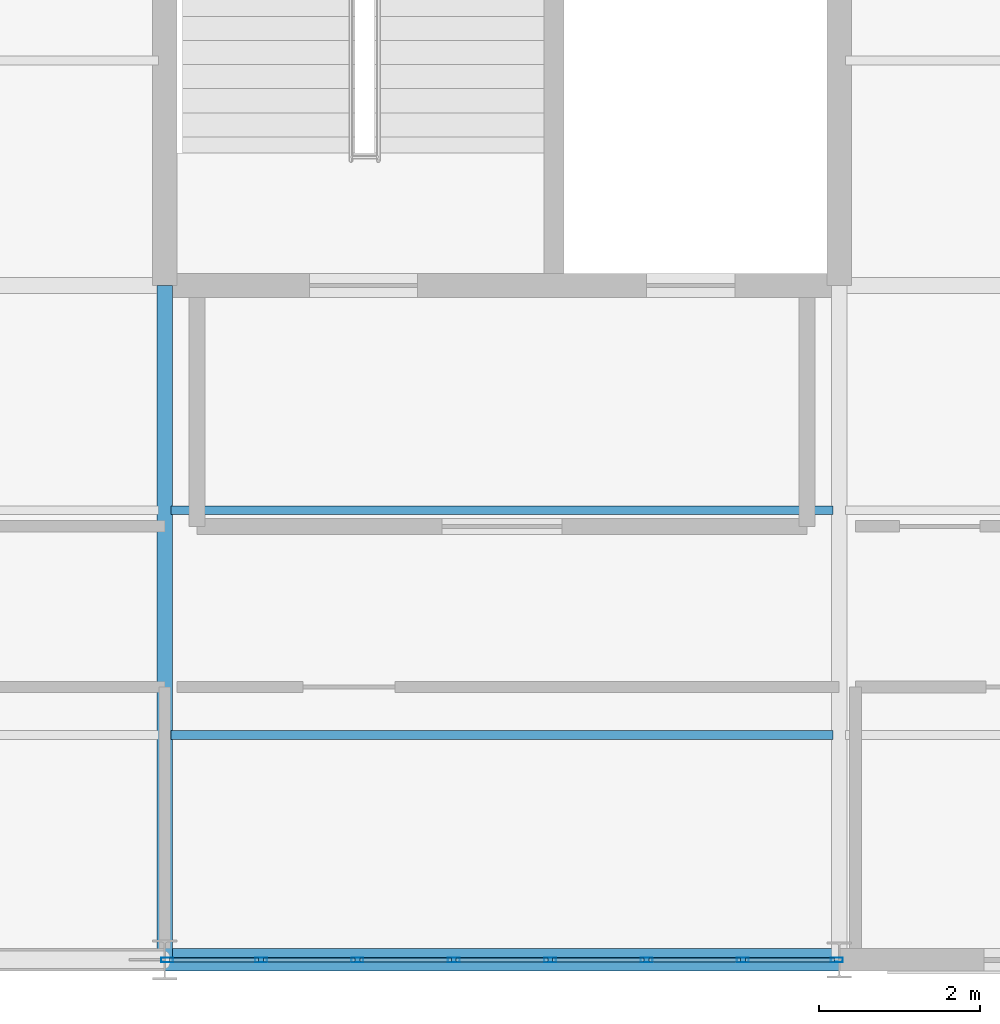
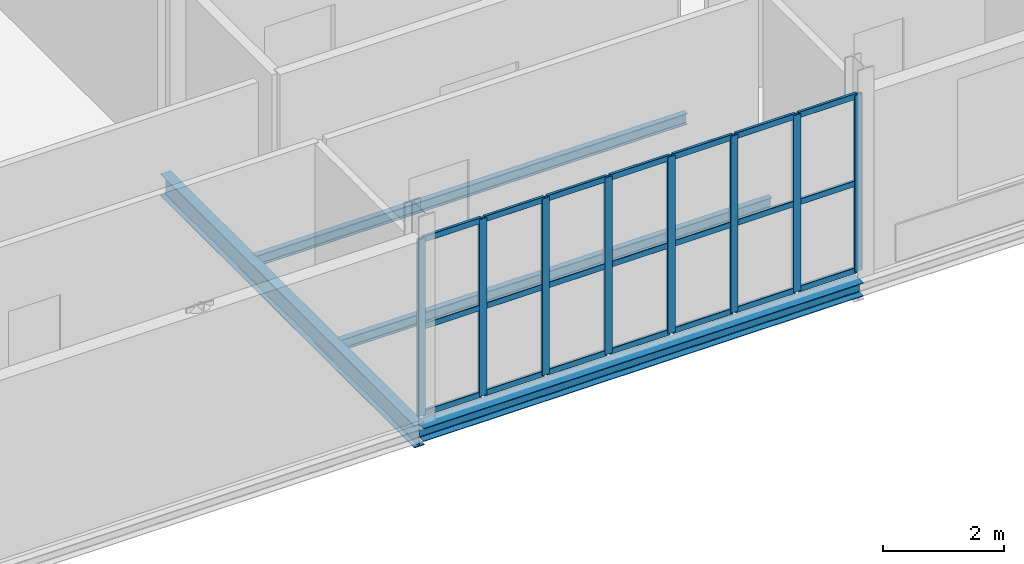
# One storey, part 23 of 65: 29 members, 4 beams, 1 element without a shape of its own.
"""IFC4 building model written with IfcOpenShell, lengths in metres."""

from ifc_helpers import new_model, si_unit, direction, frame, origin, origin_2d, place, context, subcontext, project, spatial, hollow_rectangle, i_section, extrude, material, layer, layer_set, material_profile, profile_set, type_object, element, aggregate, save


model = new_model("IFC4")

# Units and contexts
model_context = context("Model", 3, precision=1e-05, world=origin(), true_north=direction((0.0, 1.0)))
body_context = subcontext(model_context, "Body", "Model", "MODEL_VIEW")
ifc_project = project(units=[si_unit("LENGTHUNIT", "METRE"), si_unit("AREAUNIT", "SQUARE_METRE"), si_unit("VOLUMEUNIT", "CUBIC_METRE"), si_unit("PLANEANGLEUNIT", "RADIAN"), si_unit("MASSUNIT", "GRAM", prefix="KILO")], contexts=[model_context])

# Site, building, storey
site_placement = place(None, origin())
site = spatial("IfcSite", under=ifc_project, at=site_placement, CompositionType="ELEMENT")
building_placement = place(site_placement, origin())
building = spatial("IfcBuilding", under=site, at=building_placement, Name="Qalvenar Corner Mobility Hub", CompositionType="ELEMENT")
storey_placement = place(building_placement, frame((0.0, 0.0, 17.39990234375)))
storey = spatial("IfcBuildingStorey", under=building, at=storey_placement, Name="L04", CompositionType="ELEMENT", Elevation=17.39990234375)

# Beams
ifc_material_1 = material(Name="Steel S355", Category="steel")
ifc_material_profile_1 = material_profile(ifc_material_1, i_section(OverallWidth=0.18994140625, OverallDepth=0.449951171875, WebThickness=0.009521484375, FlangeThickness=0.0146484375, FilletRadius=0.02099609375, at=origin_2d()), Name="IPE450")
ifc_profile_set_1 = profile_set([ifc_material_profile_1], Name="Steel S355")
beam_type_1 = type_object("IfcBeamType", Name="BM-IPE450", PredefinedType="BEAM", material=ifc_profile_set_1)
beam_1_placement = place(storey_placement, frame((33.60009765625, 0.0, -0.40478515625), z_axis=(0.0, 1.0, 0.0), x_axis=(-1.0, 0.0, 0.0)))
element("IfcBeam", 1, at=beam_1_placement, inside=storey, type_object=beam_type_1, Name="Primary Steel Girder GY-2647", PredefinedType="BEAM", context=body_context, shape_type="SweptSolid", body=[
    extrude(i_section(OverallWidth=0.18994140625, OverallDepth=0.449951171875, WebThickness=0.009521484375, FlangeThickness=0.0146484375, FilletRadius=0.02099609375, at=origin_2d()), origin(), (0.0, 0.0, 1.0), 8.39990234375),
])
ifc_material_profile_2 = material_profile(ifc_material_1, i_section(OverallWidth=0.110107421875, OverallDepth=0.219970703125, WebThickness=0.005859375, FlangeThickness=0.00927734375, FilletRadius=0.011962890625, at=origin_2d()), Name="IPE220")
ifc_profile_set_2 = profile_set([ifc_material_profile_2], Name="Steel S355")
beam_type_2 = type_object("IfcBeamType", Name="BM-JST220", PredefinedType="JOIST", material=ifc_profile_set_2)
for number, where, z_axis, x_axis, name in (
    (2, (33.677978515625, 2.800048828125, -0.289794921875), (1.0, 0.0, 0.0), (0.0, 1.0, 0.0), "Composite Floor Joist J-2701"),
    (3, (33.677978515625, 5.60009765625, -0.289794921875), (1.0, 0.0, 0.0), (0.0, 1.0, 0.0), "Composite Floor Joist J-2702"),
):
    element("IfcBeam", number, at=place(storey_placement, frame(where, z_axis=z_axis, x_axis=x_axis)), inside=storey, type_object=beam_type_2, Name=name, PredefinedType="JOIST", context=body_context, shape_type="SweptSolid", body=[
        extrude(i_section(OverallWidth=0.110107421875, OverallDepth=0.219970703125, WebThickness=0.005859375, FlangeThickness=0.00927734375, FilletRadius=0.011962890625, at=origin_2d()), origin(), (0.0, 0.0, 1.0), 8.244140625),
    ])
ifc_material_profile_3 = material_profile(ifc_material_1, i_section(OverallWidth=0.280029296875, OverallDepth=0.27001953125, WebThickness=0.008056640625, FlangeThickness=0.012939453125, FilletRadius=0.02392578125, at=origin_2d()), Name="HEA280")
ifc_profile_set_3 = profile_set([ifc_material_profile_3], Name="Steel S355")
beam_type_3 = type_object("IfcBeamType", Name="BM-SPN280", PredefinedType="SPANDREL", material=ifc_profile_set_3)
beam_2_placement = place(storey_placement, frame((33.60009765625, 0.0, -0.31494140625), z_axis=(1.0, 0.0, 0.0), x_axis=(0.0, 1.0, 0.0)))
element("IfcBeam", 4, at=beam_2_placement, inside=storey, type_object=beam_type_3, Name="Primary Steel Girder GX-2595", PredefinedType="SPANDREL", context=body_context, shape_type="SweptSolid", body=[
    extrude(i_section(OverallWidth=0.280029296875, OverallDepth=0.27001953125, WebThickness=0.008056640625, FlangeThickness=0.012939453125, FilletRadius=0.02392578125, at=origin_2d()), origin(), (0.0, 0.0, 1.0), 8.39990234375),
])

# Curtain wall, members
ifc_material_2 = material(Name="Anodised Aluminium and Low-E Glazing", Category="aluminium")
ifc_layer = layer(ifc_material_2, 0.14990234375)
ifc_layer_set = layer_set([ifc_layer], Name="Anodised Aluminium and Low-E Glazing")
curtain_wall_type = type_object("IfcCurtainWallType", Name="CW-CIV-84X40", PredefinedType="NOTDEFINED", material=ifc_layer_set)
curtain_wall_placement = place(storey_placement, origin())
curtain_wall = element("IfcCurtainWall", 5, at=curtain_wall_placement, inside=storey, type_object=curtain_wall_type, Name="Glazed Curtain Wall CW-V3-L04-S4", PredefinedType="NOTDEFINED")
ifc_material_3 = material(Name="Anodised Aluminium 6063-T6", Category="aluminium")
ifc_material_profile_4 = material_profile(ifc_material_3, hollow_rectangle(XDim=0.06005859375, YDim=0.14990234375, WallThickness=0.00390625, InnerFilletRadius=0.00390625, OuterFilletRadius=0.008056640625, at=origin_2d()), Name="RHS150x60x4")
ifc_profile_set_4 = profile_set([ifc_material_profile_4], Name="Anodised Aluminium 6063-T6")
member_type_1 = type_object("IfcMemberType", Name="CW-MUL150", PredefinedType="MULLION", material=ifc_profile_set_4)
member_1_placement = place(storey_placement, frame((33.6298828125, 0.0, 0.0), z_axis=(0.0, 0.0, 1.0), x_axis=(0.0, 1.0, 0.0)))
member_1 = element("IfcMember", 6, at=member_1_placement, type_object=member_type_1, Name="CW-05 mullion 1", PredefinedType="MULLION", context=body_context, shape_type="SweptSolid", body=[
    extrude(hollow_rectangle(XDim=0.06005859375, YDim=0.14990234375, WallThickness=0.00390625, InnerFilletRadius=0.00390625, OuterFilletRadius=0.008056640625, at=origin_2d()), origin(), (0.0, 0.0, 1.0), 3.570068359375),
])
member_2_placement = place(storey_placement, frame((34.800048828125, 0.0, 0.0), z_axis=(0.0, 0.0, 1.0), x_axis=(0.0, 1.0, 0.0)))
member_2 = element("IfcMember", 7, at=member_2_placement, type_object=member_type_1, Name="CW-05 mullion 2", PredefinedType="MULLION", context=body_context, shape_type="SweptSolid", body=[
    extrude(hollow_rectangle(XDim=0.06005859375, YDim=0.14990234375, WallThickness=0.00390625, InnerFilletRadius=0.00390625, OuterFilletRadius=0.008056640625, at=origin_2d()), origin(), (0.0, 0.0, 1.0), 3.570068359375),
])
member_3_placement = place(storey_placement, frame((36.0, 0.0, 0.0), z_axis=(0.0, 0.0, 1.0), x_axis=(0.0, 1.0, 0.0)))
member_3 = element("IfcMember", 8, at=member_3_placement, type_object=member_type_1, Name="CW-05 mullion 3", PredefinedType="MULLION", context=body_context, shape_type="SweptSolid", body=[
    extrude(hollow_rectangle(XDim=0.06005859375, YDim=0.14990234375, WallThickness=0.00390625, InnerFilletRadius=0.00390625, OuterFilletRadius=0.008056640625, at=origin_2d()), origin(), (0.0, 0.0, 1.0), 3.570068359375),
])
member_4_placement = place(storey_placement, frame((37.199951171875, 0.0, 0.0), z_axis=(0.0, 0.0, 1.0), x_axis=(0.0, 1.0, 0.0)))
member_4 = element("IfcMember", 9, at=member_4_placement, type_object=member_type_1, Name="CW-05 mullion 4", PredefinedType="MULLION", context=body_context, shape_type="SweptSolid", body=[
    extrude(hollow_rectangle(XDim=0.06005859375, YDim=0.14990234375, WallThickness=0.00390625, InnerFilletRadius=0.00390625, OuterFilletRadius=0.008056640625, at=origin_2d()), origin(), (0.0, 0.0, 1.0), 3.570068359375),
])
member_5_placement = place(storey_placement, frame((38.39990234375, 0.0, 0.0), z_axis=(0.0, 0.0, 1.0), x_axis=(0.0, 1.0, 0.0)))
member_5 = element("IfcMember", 10, at=member_5_placement, type_object=member_type_1, Name="CW-05 mullion 5", PredefinedType="MULLION", context=body_context, shape_type="SweptSolid", body=[
    extrude(hollow_rectangle(XDim=0.06005859375, YDim=0.14990234375, WallThickness=0.00390625, InnerFilletRadius=0.00390625, OuterFilletRadius=0.008056640625, at=origin_2d()), origin(), (0.0, 0.0, 1.0), 3.570068359375),
])
member_6_placement = place(storey_placement, frame((39.60009765625, 0.0, 0.0), z_axis=(0.0, 0.0, 1.0), x_axis=(0.0, 1.0, 0.0)))
member_6 = element("IfcMember", 11, at=member_6_placement, type_object=member_type_1, Name="CW-05 mullion 6", PredefinedType="MULLION", context=body_context, shape_type="SweptSolid", body=[
    extrude(hollow_rectangle(XDim=0.06005859375, YDim=0.14990234375, WallThickness=0.00390625, InnerFilletRadius=0.00390625, OuterFilletRadius=0.008056640625, at=origin_2d()), origin(), (0.0, 0.0, 1.0), 3.570068359375),
])
member_7_placement = place(storey_placement, frame((40.800048828125, 0.0, 0.0), z_axis=(0.0, 0.0, 1.0), x_axis=(0.0, 1.0, 0.0)))
member_7 = element("IfcMember", 12, at=member_7_placement, type_object=member_type_1, Name="CW-05 mullion 7", PredefinedType="MULLION", context=body_context, shape_type="SweptSolid", body=[
    extrude(hollow_rectangle(XDim=0.06005859375, YDim=0.14990234375, WallThickness=0.00390625, InnerFilletRadius=0.00390625, OuterFilletRadius=0.008056640625, at=origin_2d()), origin(), (0.0, 0.0, 1.0), 3.570068359375),
])
member_8_placement = place(storey_placement, frame((41.969970703125, 0.0, 0.0), z_axis=(0.0, 0.0, 1.0), x_axis=(0.0, 1.0, 0.0)))
member_8 = element("IfcMember", 13, at=member_8_placement, type_object=member_type_1, Name="CW-05 mullion 8", PredefinedType="MULLION", context=body_context, shape_type="SweptSolid", body=[
    extrude(hollow_rectangle(XDim=0.06005859375, YDim=0.14990234375, WallThickness=0.00390625, InnerFilletRadius=0.00390625, OuterFilletRadius=0.008056640625, at=origin_2d()), origin(), (0.0, 0.0, 1.0), 3.570068359375),
])
ifc_material_profile_5 = material_profile(ifc_material_3, hollow_rectangle(XDim=0.054931640625, YDim=0.1201171875, WallThickness=0.00341796875, InnerFilletRadius=0.00341796875, OuterFilletRadius=0.007080078125, at=origin_2d()), Name="RHS120x55x3.5")
ifc_profile_set_5 = profile_set([ifc_material_profile_5], Name="Anodised Aluminium 6063-T6")
member_type_2 = type_object("IfcMemberType", Name="CW-TRN120", PredefinedType="USERDEFINED", material=ifc_profile_set_5)
member_9_placement = place(storey_placement, frame((33.659912109375, 0.0, 0.027587890625), z_axis=(1.0, 0.0, 0.0), x_axis=(0.0, 1.0, 0.0)))
member_9 = element("IfcMember", 14, at=member_9_placement, type_object=member_type_2, Name="CW-05 transom 1.1", ObjectType="TRANSOM", PredefinedType="USERDEFINED", context=body_context, shape_type="SweptSolid", body=[
    extrude(hollow_rectangle(XDim=0.054931640625, YDim=0.1201171875, WallThickness=0.00341796875, InnerFilletRadius=0.00341796875, OuterFilletRadius=0.007080078125, at=origin_2d()), origin(), (0.0, 0.0, 1.0), 1.110107421875),
])
member_10_placement = place(storey_placement, frame((33.659912109375, 0.0, 1.78515625), z_axis=(1.0, 0.0, 0.0), x_axis=(0.0, 1.0, 0.0)))
member_10 = element("IfcMember", 15, at=member_10_placement, type_object=member_type_2, Name="CW-05 transom 1.2", ObjectType="TRANSOM", PredefinedType="USERDEFINED", context=body_context, shape_type="SweptSolid", body=[
    extrude(hollow_rectangle(XDim=0.054931640625, YDim=0.1201171875, WallThickness=0.00341796875, InnerFilletRadius=0.00341796875, OuterFilletRadius=0.007080078125, at=origin_2d()), origin(), (0.0, 0.0, 1.0), 1.110107421875),
])
member_11_placement = place(storey_placement, frame((33.659912109375, 0.0, 3.54248046875), z_axis=(1.0, 0.0, 0.0), x_axis=(0.0, 1.0, 0.0)))
member_11 = element("IfcMember", 16, at=member_11_placement, type_object=member_type_2, Name="CW-05 transom 1.3", ObjectType="TRANSOM", PredefinedType="USERDEFINED", context=body_context, shape_type="SweptSolid", body=[
    extrude(hollow_rectangle(XDim=0.054931640625, YDim=0.1201171875, WallThickness=0.00341796875, InnerFilletRadius=0.00341796875, OuterFilletRadius=0.007080078125, at=origin_2d()), origin(), (0.0, 0.0, 1.0), 1.110107421875),
])
member_12_placement = place(storey_placement, frame((34.830078125, 0.0, 0.027587890625), z_axis=(1.0, 0.0, 0.0), x_axis=(0.0, 1.0, 0.0)))
member_12 = element("IfcMember", 17, at=member_12_placement, type_object=member_type_2, Name="CW-05 transom 2.1", ObjectType="TRANSOM", PredefinedType="USERDEFINED", context=body_context, shape_type="SweptSolid", body=[
    extrude(hollow_rectangle(XDim=0.054931640625, YDim=0.1201171875, WallThickness=0.00341796875, InnerFilletRadius=0.00341796875, OuterFilletRadius=0.007080078125, at=origin_2d()), origin(), (0.0, 0.0, 1.0), 1.139892578125),
])
member_13_placement = place(storey_placement, frame((34.830078125, 0.0, 1.78515625), z_axis=(1.0, 0.0, 0.0), x_axis=(0.0, 1.0, 0.0)))
member_13 = element("IfcMember", 18, at=member_13_placement, type_object=member_type_2, Name="CW-05 transom 2.2", ObjectType="TRANSOM", PredefinedType="USERDEFINED", context=body_context, shape_type="SweptSolid", body=[
    extrude(hollow_rectangle(XDim=0.054931640625, YDim=0.1201171875, WallThickness=0.00341796875, InnerFilletRadius=0.00341796875, OuterFilletRadius=0.007080078125, at=origin_2d()), origin(), (0.0, 0.0, 1.0), 1.139892578125),
])
member_14_placement = place(storey_placement, frame((34.830078125, 0.0, 3.54248046875), z_axis=(1.0, 0.0, 0.0), x_axis=(0.0, 1.0, 0.0)))
member_14 = element("IfcMember", 19, at=member_14_placement, type_object=member_type_2, Name="CW-05 transom 2.3", ObjectType="TRANSOM", PredefinedType="USERDEFINED", context=body_context, shape_type="SweptSolid", body=[
    extrude(hollow_rectangle(XDim=0.054931640625, YDim=0.1201171875, WallThickness=0.00341796875, InnerFilletRadius=0.00341796875, OuterFilletRadius=0.007080078125, at=origin_2d()), origin(), (0.0, 0.0, 1.0), 1.139892578125),
])
member_15_placement = place(storey_placement, frame((36.030029296875, 0.0, 0.027587890625), z_axis=(1.0, 0.0, 0.0), x_axis=(0.0, 1.0, 0.0)))
member_15 = element("IfcMember", 20, at=member_15_placement, type_object=member_type_2, Name="CW-05 transom 3.1", ObjectType="TRANSOM", PredefinedType="USERDEFINED", context=body_context, shape_type="SweptSolid", body=[
    extrude(hollow_rectangle(XDim=0.054931640625, YDim=0.1201171875, WallThickness=0.00341796875, InnerFilletRadius=0.00341796875, OuterFilletRadius=0.007080078125, at=origin_2d()), origin(), (0.0, 0.0, 1.0), 1.139892578125),
])
member_16_placement = place(storey_placement, frame((36.030029296875, 0.0, 1.78515625), z_axis=(1.0, 0.0, 0.0), x_axis=(0.0, 1.0, 0.0)))
member_16 = element("IfcMember", 21, at=member_16_placement, type_object=member_type_2, Name="CW-05 transom 3.2", ObjectType="TRANSOM", PredefinedType="USERDEFINED", context=body_context, shape_type="SweptSolid", body=[
    extrude(hollow_rectangle(XDim=0.054931640625, YDim=0.1201171875, WallThickness=0.00341796875, InnerFilletRadius=0.00341796875, OuterFilletRadius=0.007080078125, at=origin_2d()), origin(), (0.0, 0.0, 1.0), 1.139892578125),
])
member_17_placement = place(storey_placement, frame((36.030029296875, 0.0, 3.54248046875), z_axis=(1.0, 0.0, 0.0), x_axis=(0.0, 1.0, 0.0)))
member_17 = element("IfcMember", 22, at=member_17_placement, type_object=member_type_2, Name="CW-05 transom 3.3", ObjectType="TRANSOM", PredefinedType="USERDEFINED", context=body_context, shape_type="SweptSolid", body=[
    extrude(hollow_rectangle(XDim=0.054931640625, YDim=0.1201171875, WallThickness=0.00341796875, InnerFilletRadius=0.00341796875, OuterFilletRadius=0.007080078125, at=origin_2d()), origin(), (0.0, 0.0, 1.0), 1.139892578125),
])
member_18_placement = place(storey_placement, frame((37.22998046875, 0.0, 0.027587890625), z_axis=(1.0, 0.0, 0.0), x_axis=(0.0, 1.0, 0.0)))
member_18 = element("IfcMember", 23, at=member_18_placement, type_object=member_type_2, Name="CW-05 transom 4.1", ObjectType="TRANSOM", PredefinedType="USERDEFINED", context=body_context, shape_type="SweptSolid", body=[
    extrude(hollow_rectangle(XDim=0.054931640625, YDim=0.1201171875, WallThickness=0.00341796875, InnerFilletRadius=0.00341796875, OuterFilletRadius=0.007080078125, at=origin_2d()), origin(), (0.0, 0.0, 1.0), 1.14013671875),
])
member_19_placement = place(storey_placement, frame((37.22998046875, 0.0, 1.78515625), z_axis=(1.0, 0.0, 0.0), x_axis=(0.0, 1.0, 0.0)))
member_19 = element("IfcMember", 24, at=member_19_placement, type_object=member_type_2, Name="CW-05 transom 4.2", ObjectType="TRANSOM", PredefinedType="USERDEFINED", context=body_context, shape_type="SweptSolid", body=[
    extrude(hollow_rectangle(XDim=0.054931640625, YDim=0.1201171875, WallThickness=0.00341796875, InnerFilletRadius=0.00341796875, OuterFilletRadius=0.007080078125, at=origin_2d()), origin(), (0.0, 0.0, 1.0), 1.14013671875),
])
member_20_placement = place(storey_placement, frame((37.22998046875, 0.0, 3.54248046875), z_axis=(1.0, 0.0, 0.0), x_axis=(0.0, 1.0, 0.0)))
member_20 = element("IfcMember", 25, at=member_20_placement, type_object=member_type_2, Name="CW-05 transom 4.3", ObjectType="TRANSOM", PredefinedType="USERDEFINED", context=body_context, shape_type="SweptSolid", body=[
    extrude(hollow_rectangle(XDim=0.054931640625, YDim=0.1201171875, WallThickness=0.00341796875, InnerFilletRadius=0.00341796875, OuterFilletRadius=0.007080078125, at=origin_2d()), origin(), (0.0, 0.0, 1.0), 1.14013671875),
])
member_21_placement = place(storey_placement, frame((38.429931640625, 0.0, 0.027587890625), z_axis=(1.0, 0.0, 0.0), x_axis=(0.0, 1.0, 0.0)))
member_21 = element("IfcMember", 26, at=member_21_placement, type_object=member_type_2, Name="CW-05 transom 5.1", ObjectType="TRANSOM", PredefinedType="USERDEFINED", context=body_context, shape_type="SweptSolid", body=[
    extrude(hollow_rectangle(XDim=0.054931640625, YDim=0.1201171875, WallThickness=0.00341796875, InnerFilletRadius=0.00341796875, OuterFilletRadius=0.007080078125, at=origin_2d()), origin(), (0.0, 0.0, 1.0), 1.14013671875),
])
member_22_placement = place(storey_placement, frame((38.429931640625, 0.0, 1.78515625), z_axis=(1.0, 0.0, 0.0), x_axis=(0.0, 1.0, 0.0)))
member_22 = element("IfcMember", 27, at=member_22_placement, type_object=member_type_2, Name="CW-05 transom 5.2", ObjectType="TRANSOM", PredefinedType="USERDEFINED", context=body_context, shape_type="SweptSolid", body=[
    extrude(hollow_rectangle(XDim=0.054931640625, YDim=0.1201171875, WallThickness=0.00341796875, InnerFilletRadius=0.00341796875, OuterFilletRadius=0.007080078125, at=origin_2d()), origin(), (0.0, 0.0, 1.0), 1.14013671875),
])
member_23_placement = place(storey_placement, frame((38.429931640625, 0.0, 3.54248046875), z_axis=(1.0, 0.0, 0.0), x_axis=(0.0, 1.0, 0.0)))
member_23 = element("IfcMember", 28, at=member_23_placement, type_object=member_type_2, Name="CW-05 transom 5.3", ObjectType="TRANSOM", PredefinedType="USERDEFINED", context=body_context, shape_type="SweptSolid", body=[
    extrude(hollow_rectangle(XDim=0.054931640625, YDim=0.1201171875, WallThickness=0.00341796875, InnerFilletRadius=0.00341796875, OuterFilletRadius=0.007080078125, at=origin_2d()), origin(), (0.0, 0.0, 1.0), 1.14013671875),
])
member_24_placement = place(storey_placement, frame((39.6298828125, 0.0, 0.027587890625), z_axis=(1.0, 0.0, 0.0), x_axis=(0.0, 1.0, 0.0)))
member_24 = element("IfcMember", 29, at=member_24_placement, type_object=member_type_2, Name="CW-05 transom 6.1", ObjectType="TRANSOM", PredefinedType="USERDEFINED", context=body_context, shape_type="SweptSolid", body=[
    extrude(hollow_rectangle(XDim=0.054931640625, YDim=0.1201171875, WallThickness=0.00341796875, InnerFilletRadius=0.00341796875, OuterFilletRadius=0.007080078125, at=origin_2d()), origin(), (0.0, 0.0, 1.0), 1.14013671875),
])
member_25_placement = place(storey_placement, frame((39.6298828125, 0.0, 1.78515625), z_axis=(1.0, 0.0, 0.0), x_axis=(0.0, 1.0, 0.0)))
member_25 = element("IfcMember", 30, at=member_25_placement, type_object=member_type_2, Name="CW-05 transom 6.2", ObjectType="TRANSOM", PredefinedType="USERDEFINED", context=body_context, shape_type="SweptSolid", body=[
    extrude(hollow_rectangle(XDim=0.054931640625, YDim=0.1201171875, WallThickness=0.00341796875, InnerFilletRadius=0.00341796875, OuterFilletRadius=0.007080078125, at=origin_2d()), origin(), (0.0, 0.0, 1.0), 1.14013671875),
])
member_26_placement = place(storey_placement, frame((39.6298828125, 0.0, 3.54248046875), z_axis=(1.0, 0.0, 0.0), x_axis=(0.0, 1.0, 0.0)))
member_26 = element("IfcMember", 31, at=member_26_placement, type_object=member_type_2, Name="CW-05 transom 6.3", ObjectType="TRANSOM", PredefinedType="USERDEFINED", context=body_context, shape_type="SweptSolid", body=[
    extrude(hollow_rectangle(XDim=0.054931640625, YDim=0.1201171875, WallThickness=0.00341796875, InnerFilletRadius=0.00341796875, OuterFilletRadius=0.007080078125, at=origin_2d()), origin(), (0.0, 0.0, 1.0), 1.14013671875),
])
member_27_placement = place(storey_placement, frame((40.830078125, 0.0, 0.027587890625), z_axis=(1.0, 0.0, 0.0), x_axis=(0.0, 1.0, 0.0)))
member_27 = element("IfcMember", 32, at=member_27_placement, type_object=member_type_2, Name="CW-05 transom 7.1", ObjectType="TRANSOM", PredefinedType="USERDEFINED", context=body_context, shape_type="SweptSolid", body=[
    extrude(hollow_rectangle(XDim=0.054931640625, YDim=0.1201171875, WallThickness=0.00341796875, InnerFilletRadius=0.00341796875, OuterFilletRadius=0.007080078125, at=origin_2d()), origin(), (0.0, 0.0, 1.0), 1.10986328125),
])
member_28_placement = place(storey_placement, frame((40.830078125, 0.0, 1.78515625), z_axis=(1.0, 0.0, 0.0), x_axis=(0.0, 1.0, 0.0)))
member_28 = element("IfcMember", 33, at=member_28_placement, type_object=member_type_2, Name="CW-05 transom 7.2", ObjectType="TRANSOM", PredefinedType="USERDEFINED", context=body_context, shape_type="SweptSolid", body=[
    extrude(hollow_rectangle(XDim=0.054931640625, YDim=0.1201171875, WallThickness=0.00341796875, InnerFilletRadius=0.00341796875, OuterFilletRadius=0.007080078125, at=origin_2d()), origin(), (0.0, 0.0, 1.0), 1.10986328125),
])
member_29_placement = place(storey_placement, frame((40.830078125, 0.0, 3.54248046875), z_axis=(1.0, 0.0, 0.0), x_axis=(0.0, 1.0, 0.0)))
member_29 = element("IfcMember", 34, at=member_29_placement, type_object=member_type_2, Name="CW-05 transom 7.3", ObjectType="TRANSOM", PredefinedType="USERDEFINED", context=body_context, shape_type="SweptSolid", body=[
    extrude(hollow_rectangle(XDim=0.054931640625, YDim=0.1201171875, WallThickness=0.00341796875, InnerFilletRadius=0.00341796875, OuterFilletRadius=0.007080078125, at=origin_2d()), origin(), (0.0, 0.0, 1.0), 1.10986328125),
])
aggregate(curtain_wall, [member_1, member_2, member_3, member_4, member_5, member_6, member_7, member_8, member_9, member_10, member_11, member_12, member_13, member_14, member_15, member_16, member_17, member_18, member_19, member_20, member_21, member_22, member_23, member_24, member_25, member_26, member_27, member_28, member_29])

save(model, "model.ifc")
